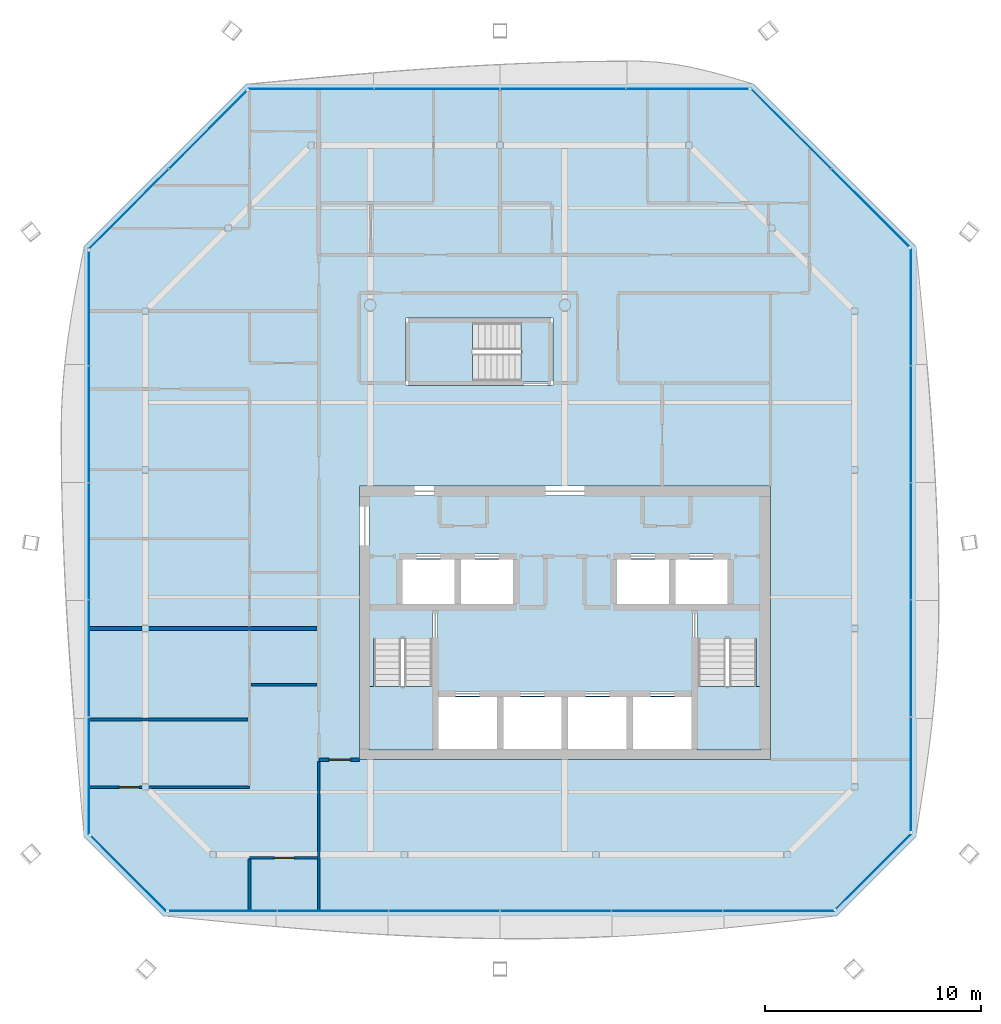
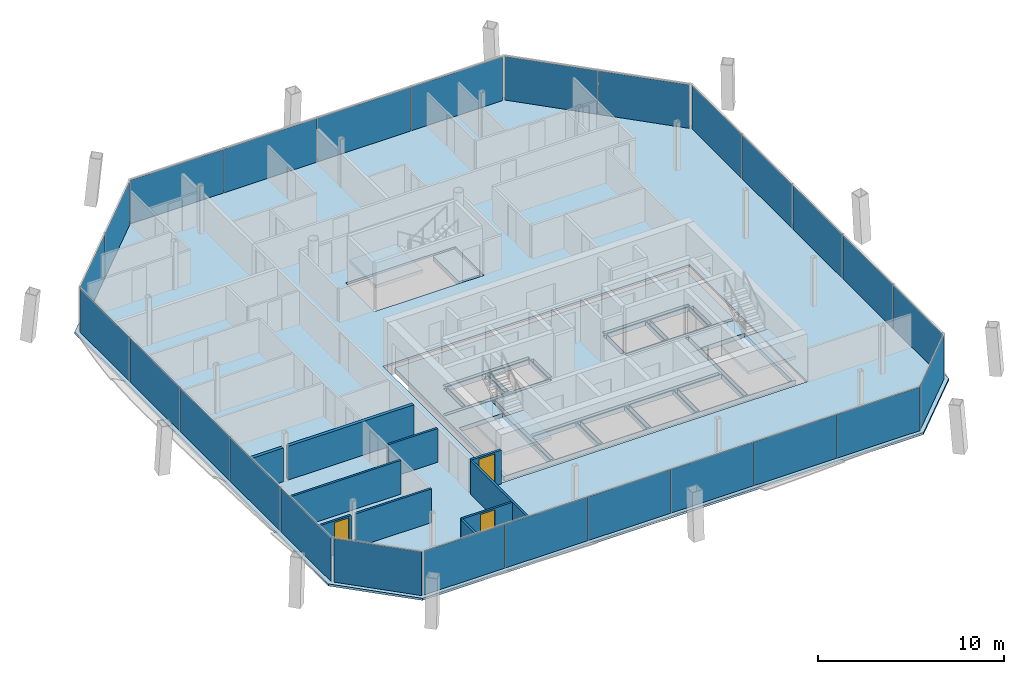
# One storey, part 11 of 18: 26 plates, 10 walls, 6 slabs, 3 doors, 3 openings, 11 elements without a shape of their own.
"""IFC4 building model written with IfcOpenShell, lengths in metres."""

from ifc_helpers import new_model, si_unit, direction, frame, frame_2d, origin, origin_2d, place, context, subcontext, project, spatial, polyline, rectangle, outline, extrude, material, layer, layer_set, type_object, element, fill, aggregate, save


model = new_model("IFC4")

# Units and contexts
model_context = context("Model", 3, precision=1e-05, world=origin(), true_north=direction((0.0, 1.0)))
body_context = subcontext(model_context, "Body", "Model", "MODEL_VIEW")
ifc_project = project(units=[si_unit("LENGTHUNIT", "METRE"), si_unit("AREAUNIT", "SQUARE_METRE"), si_unit("VOLUMEUNIT", "CUBIC_METRE"), si_unit("PLANEANGLEUNIT", "RADIAN"), si_unit("MASSUNIT", "GRAM", prefix="KILO")], contexts=[model_context])

# Site, building, storey
site_placement = place(None, origin())
site = spatial("IfcSite", under=ifc_project, at=site_placement, CompositionType="ELEMENT")
building_placement = place(site_placement, origin())
building = spatial("IfcBuilding", under=site, at=building_placement, Name="Tskaro Facet Tower", CompositionType="ELEMENT")
storey_placement = place(building_placement, frame((0.0, 0.0, 223.5)))
storey = spatial("IfcBuildingStorey", under=building, at=storey_placement, Name="L57", CompositionType="ELEMENT", Elevation=223.5)

# Slab
ifc_material_1 = material(Name="Concrete C30/37", Category="concrete")
ifc_layer_1 = layer(ifc_material_1, 0.139892578125, Name="Concrete C30/37")
ifc_layer_set_1 = layer_set([ifc_layer_1], Name="Concrete C30/37")
slab_type_1 = type_object("IfcSlabType", Name="Composite deck floor slab", PredefinedType="FLOOR", material=ifc_layer_set_1)
slab_1_placement = place(storey_placement, frame((0.0, 0.0, -0.139892578125)))
element("IfcSlab", 1, at=slab_1_placement, inside=storey, type_object=slab_type_1, Name="Floor slab FS3 L57", PredefinedType="FLOOR", context=body_context, shape_type="SweptSolid", body=[
    extrude(outline(polyline([(-18.5390625, -19.235107421875), (12.5390625, -19.235107421875), (16.235107421875, -15.5390625), (16.235107421875, 11.712890625), (8.712890625, 19.235107421875), (-14.712890625, 19.235107421875), (-22.235107421875, 11.712890625), (-22.235107421875, -15.5390625), (-18.5390625, -19.235107421875)]), holes=[polyline([(-9.5, -12.0), (9.5, -12.0), (9.5, 0.64990234375), (-9.5, 0.64990234375), (-9.5, -12.0)]), polyline([(-7.35009765625, 5.300048828125), (-0.550048828125, 5.300048828125), (-0.550048828125, 8.39990234375), (-7.35009765625, 8.39990234375), (-7.35009765625, 5.300048828125)])]), origin(), (0.0, 0.0, 1.0), 0.139892578125),
])

# Curtain wall, plates
ifc_material_2 = material(Name="Bronze anodised aluminium 6063-T6", Category="aluminium")
curtain_wall_type = type_object("IfcCurtainWallType", Name="Bronze residence curtain wall (FW3)", PredefinedType="NOTDEFINED", material=ifc_material_2)
curtain_wall_1_placement = place(storey_placement, origin())
curtain_wall_1 = element("IfcCurtainWall", 2, at=curtain_wall_1_placement, inside=storey, type_object=curtain_wall_type, Name="FW3 south facet L57", PredefinedType="NOTDEFINED")
ifc_material_3 = material(Name="Bronze low-iron glass", Category="glass")
ifc_layer_2 = layer(ifc_material_3, 0.028076171875, Name="Bronze low-iron glass")
ifc_layer_set_2 = layer_set([ifc_layer_2], Name="Bronze low-iron glass")
plate_type = type_object("IfcPlateType", Name="FW3 bronze-tinted unit glazing 28", PredefinedType="CURTAIN_PANEL", material=ifc_layer_set_2)
plate_1_placement = place(storey_placement, frame((-15.804931640625, -18.985107421875, 0.0), z_axis=(0.0, 0.0, 1.0), x_axis=(1.0, 0.0, 0.0)))
plate_1 = element("IfcPlate", 3, at=plate_1_placement, type_object=plate_type, Name="FW3 south glazing 1.1", PredefinedType="CURTAIN_PANEL", context=body_context, shape_type="SweptSolid", body=[
    extrude(rectangle(XDim=4.97998046875, YDim=0.028076171875, at=origin_2d()), origin(), (0.0, 0.0, 1.0), 2.860107421875),
])
plate_2_placement = place(storey_placement, frame((-10.717529296875, -18.985107421875, 0.0), z_axis=(0.0, 0.0, 1.0), x_axis=(1.0, 0.0, 0.0)))
plate_2 = element("IfcPlate", 4, at=plate_2_placement, type_object=plate_type, Name="FW3 south glazing 2.1", PredefinedType="CURTAIN_PANEL", context=body_context, shape_type="SweptSolid", body=[
    extrude(rectangle(XDim=5.094970703125, YDim=0.028076171875, at=origin_2d()), origin(), (0.0, 0.0, 1.0), 2.860107421875),
])
plate_3_placement = place(storey_placement, frame((-5.572509765625, -18.985107421875, 0.0), z_axis=(0.0, 0.0, 1.0), x_axis=(1.0, 0.0, 0.0)))
plate_3 = element("IfcPlate", 5, at=plate_3_placement, type_object=plate_type, Name="FW3 south glazing 3.1", PredefinedType="CURTAIN_PANEL", context=body_context, shape_type="SweptSolid", body=[
    extrude(rectangle(XDim=5.094970703125, YDim=0.028076171875, at=origin_2d()), origin(), (0.0, 0.0, 1.0), 2.860107421875),
])
plate_4_placement = place(storey_placement, frame((-0.427490234375, -18.985107421875, 0.0), z_axis=(0.0, 0.0, 1.0), x_axis=(1.0, 0.0, 0.0)))
plate_4 = element("IfcPlate", 6, at=plate_4_placement, type_object=plate_type, Name="FW3 south glazing 4.1", PredefinedType="CURTAIN_PANEL", context=body_context, shape_type="SweptSolid", body=[
    extrude(rectangle(XDim=5.094970703125, YDim=0.028076171875, at=origin_2d()), origin(), (0.0, 0.0, 1.0), 2.860107421875),
])
plate_5_placement = place(storey_placement, frame((4.717529296875, -18.985107421875, 0.0), z_axis=(0.0, 0.0, 1.0), x_axis=(1.0, 0.0, 0.0)))
plate_5 = element("IfcPlate", 7, at=plate_5_placement, type_object=plate_type, Name="FW3 south glazing 5.1", PredefinedType="CURTAIN_PANEL", context=body_context, shape_type="SweptSolid", body=[
    extrude(rectangle(XDim=5.094970703125, YDim=0.028076171875, at=origin_2d()), origin(), (0.0, 0.0, 1.0), 2.860107421875),
])
plate_6_placement = place(storey_placement, frame((9.875, -18.985107421875, 0.0), z_axis=(0.0, 0.0, 1.0), x_axis=(1.0, 0.0, 0.0)))
plate_6 = element("IfcPlate", 8, at=plate_6_placement, type_object=plate_type, Name="FW3 south glazing 6.1", PredefinedType="CURTAIN_PANEL", context=body_context, shape_type="SweptSolid", body=[
    extrude(rectangle(XDim=5.1201171875, YDim=0.028076171875, at=origin_2d()), origin(), (0.0, 0.0, 1.0), 2.860107421875),
])
aggregate(curtain_wall_1, [plate_1, plate_2, plate_3, plate_4, plate_5, plate_6])

# Curtain wall, plate
curtain_wall_2_placement = place(storey_placement, origin())
curtain_wall_2 = element("IfcCurtainWall", 9, at=curtain_wall_2_placement, inside=storey, type_object=curtain_wall_type, Name="FW3 south-east facet L57", PredefinedType="NOTDEFINED")
plate_7_placement = place(storey_placement, frame((14.259521484375, -17.160400390625, 0.0), z_axis=(0.0, 0.0, 1.0), x_axis=(0.707106781187, 0.707106781187, 0.0)))
plate_7 = element("IfcPlate", 10, at=plate_7_placement, type_object=plate_type, Name="FW3 south-east glazing 1.1", PredefinedType="CURTAIN_PANEL", context=body_context, shape_type="SweptSolid", body=[
    extrude(rectangle(XDim=4.88037109375, YDim=0.028076171875, at=origin_2d()), origin(), (0.0, 0.0, 1.0), 2.860107421875),
])
aggregate(curtain_wall_2, [plate_7])

# Curtain wall, plates
curtain_wall_3_placement = place(storey_placement, origin())
curtain_wall_3 = element("IfcCurtainWall", 11, at=curtain_wall_3_placement, inside=storey, type_object=curtain_wall_type, Name="FW3 east facet L57", PredefinedType="NOTDEFINED")
plate_8_placement = place(storey_placement, frame((15.985107421875, -12.673095703125, 0.0), z_axis=(0.0, 0.0, 1.0), x_axis=(0.0, 1.0, 0.0)))
plate_8 = element("IfcPlate", 12, at=plate_8_placement, type_object=plate_type, Name="FW3 east glazing 1.1", PredefinedType="CURTAIN_PANEL", context=body_context, shape_type="SweptSolid", body=[
    extrude(rectangle(XDim=5.243896484375, YDim=0.028076171875, at=origin_2d()), origin(), (0.0, 0.0, 1.0), 2.860107421875),
])
plate_9_placement = place(storey_placement, frame((15.985107421875, -7.32177734375, 0.0), z_axis=(0.0, 0.0, 1.0), x_axis=(0.0, 1.0, 0.0)))
plate_9 = element("IfcPlate", 13, at=plate_9_placement, type_object=plate_type, Name="FW3 east glazing 2.1", PredefinedType="CURTAIN_PANEL", context=body_context, shape_type="SweptSolid", body=[
    extrude(rectangle(XDim=5.35888671875, YDim=0.028076171875, at=origin_2d()), origin(), (0.0, 0.0, 1.0), 2.860107421875),
])
plate_10_placement = place(storey_placement, frame((15.985107421875, -1.9130859375, 0.0), z_axis=(0.0, 0.0, 1.0), x_axis=(0.0, 1.0, 0.0)))
plate_10 = element("IfcPlate", 14, at=plate_10_placement, type_object=plate_type, Name="FW3 east glazing 3.1", PredefinedType="CURTAIN_PANEL", context=body_context, shape_type="SweptSolid", body=[
    extrude(rectangle(XDim=5.35888671875, YDim=0.028076171875, at=origin_2d()), origin(), (0.0, 0.0, 1.0), 2.860107421875),
])
plate_11_placement = place(storey_placement, frame((15.985107421875, 3.495849609375, 0.0), z_axis=(0.0, 0.0, 1.0), x_axis=(0.0, 1.0, 0.0)))
plate_11 = element("IfcPlate", 15, at=plate_11_placement, type_object=plate_type, Name="FW3 east glazing 4.1", PredefinedType="CURTAIN_PANEL", context=body_context, shape_type="SweptSolid", body=[
    extrude(rectangle(XDim=5.35888671875, YDim=0.028076171875, at=origin_2d()), origin(), (0.0, 0.0, 1.0), 2.860107421875),
])
plate_12_placement = place(storey_placement, frame((15.985107421875, 8.9169921875, 0.0), z_axis=(0.0, 0.0, 1.0), x_axis=(0.0, 1.0, 0.0)))
plate_12 = element("IfcPlate", 16, at=plate_12_placement, type_object=plate_type, Name="FW3 east glazing 5.1", PredefinedType="CURTAIN_PANEL", context=body_context, shape_type="SweptSolid", body=[
    extrude(rectangle(XDim=5.3837890625, YDim=0.028076171875, at=origin_2d()), origin(), (0.0, 0.0, 1.0), 2.860107421875),
])
aggregate(curtain_wall_3, [plate_8, plate_9, plate_10, plate_11, plate_12])

curtain_wall_4_placement = place(storey_placement, origin())
curtain_wall_4 = element("IfcCurtainWall", 17, at=curtain_wall_4_placement, inside=storey, type_object=curtain_wall_type, Name="FW3 north-east facet L57", PredefinedType="NOTDEFINED")
plate_13_placement = place(storey_placement, frame((14.100341796875, 13.49365234375, 0.0), z_axis=(0.0, 0.0, 1.0), x_axis=(-0.707106781187, 0.707106781187, 0.0)))
plate_13 = element("IfcPlate", 18, at=plate_13_placement, type_object=plate_type, Name="FW3 north-east glazing 1.1", PredefinedType="CURTAIN_PANEL", context=body_context, shape_type="SweptSolid", body=[
    extrude(rectangle(XDim=5.050537109375, YDim=0.028076171875, at=origin_2d()), origin(), (0.0, 0.0, 1.0), 2.860107421875),
])
plate_14_placement = place(storey_placement, frame((10.444091796875, 17.14990234375, 0.0), z_axis=(0.0, 0.0, 1.0), x_axis=(-0.707106781187, 0.707106781187, 0.0)))
plate_14 = element("IfcPlate", 19, at=plate_14_placement, type_object=plate_type, Name="FW3 north-east glazing 2.1", PredefinedType="CURTAIN_PANEL", context=body_context, shape_type="SweptSolid", body=[
    extrude(rectangle(XDim=5.190673828125, YDim=0.028076171875, at=origin_2d()), origin(), (0.0, 0.0, 1.0), 2.860107421875),
])
aggregate(curtain_wall_4, [plate_13, plate_14])

curtain_wall_5_placement = place(storey_placement, origin())
curtain_wall_5 = element("IfcCurtainWall", 20, at=curtain_wall_5_placement, inside=storey, type_object=curtain_wall_type, Name="FW3 north facet L57", PredefinedType="NOTDEFINED")
plate_15_placement = place(storey_placement, frame((5.649169921875, 18.985107421875, 0.0), z_axis=(0.0, 0.0, 1.0), x_axis=(-1.0, 0.0, 0.0)))
plate_15 = element("IfcPlate", 21, at=plate_15_placement, type_object=plate_type, Name="FW3 north glazing 1.1", PredefinedType="CURTAIN_PANEL", context=body_context, shape_type="SweptSolid", body=[
    extrude(rectangle(XDim=5.639404296875, YDim=0.028076171875, at=origin_2d()), origin(), (0.0, 0.0, 1.0), 2.860107421875),
])
plate_16_placement = place(storey_placement, frame((-0.09765625, 18.985107421875, 0.0), z_axis=(0.0, 0.0, 1.0), x_axis=(-1.0, 0.0, 0.0)))
plate_16 = element("IfcPlate", 22, at=plate_16_placement, type_object=plate_type, Name="FW3 north glazing 2.1", PredefinedType="CURTAIN_PANEL", context=body_context, shape_type="SweptSolid", body=[
    extrude(rectangle(XDim=5.75439453125, YDim=0.028076171875, at=origin_2d()), origin(), (0.0, 0.0, 1.0), 2.860107421875),
])
plate_17_placement = place(storey_placement, frame((-5.90234375, 18.985107421875, 0.0), z_axis=(0.0, 0.0, 1.0), x_axis=(-1.0, 0.0, 0.0)))
plate_17 = element("IfcPlate", 23, at=plate_17_placement, type_object=plate_type, Name="FW3 north glazing 3.1", PredefinedType="CURTAIN_PANEL", context=body_context, shape_type="SweptSolid", body=[
    extrude(rectangle(XDim=5.75439453125, YDim=0.028076171875, at=origin_2d()), origin(), (0.0, 0.0, 1.0), 2.860107421875),
])
plate_18_placement = place(storey_placement, frame((-11.71923828125, 18.985107421875, 0.0), z_axis=(0.0, 0.0, 1.0), x_axis=(-1.0, 0.0, 0.0)))
plate_18 = element("IfcPlate", 24, at=plate_18_placement, type_object=plate_type, Name="FW3 north glazing 4.1", PredefinedType="CURTAIN_PANEL", context=body_context, shape_type="SweptSolid", body=[
    extrude(rectangle(XDim=5.779541015625, YDim=0.028076171875, at=origin_2d()), origin(), (0.0, 0.0, 1.0), 2.860107421875),
])
aggregate(curtain_wall_5, [plate_15, plate_16, plate_17, plate_18])

curtain_wall_6_placement = place(storey_placement, origin())
curtain_wall_6 = element("IfcCurtainWall", 25, at=curtain_wall_6_placement, inside=storey, type_object=curtain_wall_type, Name="FW3 north-west facet L57", PredefinedType="NOTDEFINED")
plate_19_placement = place(storey_placement, frame((-16.49365234375, 17.100341796875, 0.0), z_axis=(0.0, 0.0, 1.0), x_axis=(-0.707106781187, -0.707106781187, 0.0)))
plate_19 = element("IfcPlate", 26, at=plate_19_placement, type_object=plate_type, Name="FW3 north-west glazing 1.1", PredefinedType="CURTAIN_PANEL", context=body_context, shape_type="SweptSolid", body=[
    extrude(rectangle(XDim=5.050537109375, YDim=0.028076171875, at=origin_2d()), origin(), (0.0, 0.0, 1.0), 2.860107421875),
])
plate_20_placement = place(storey_placement, frame((-20.14990234375, 13.444091796875, 0.0), z_axis=(0.0, 0.0, 1.0), x_axis=(-0.707106781187, -0.707106781187, 0.0)))
plate_20 = element("IfcPlate", 27, at=plate_20_placement, type_object=plate_type, Name="FW3 north-west glazing 2.1", PredefinedType="CURTAIN_PANEL", context=body_context, shape_type="SweptSolid", body=[
    extrude(rectangle(XDim=5.190673828125, YDim=0.028076171875, at=origin_2d()), origin(), (0.0, 0.0, 1.0), 2.860107421875),
])
aggregate(curtain_wall_6, [plate_19, plate_20])

curtain_wall_7_placement = place(storey_placement, origin())
curtain_wall_7 = element("IfcCurtainWall", 28, at=curtain_wall_7_placement, inside=storey, type_object=curtain_wall_type, Name="FW3 west facet L57", PredefinedType="NOTDEFINED")
plate_21_placement = place(storey_placement, frame((-21.985107421875, 8.84716796875, 0.0), z_axis=(0.0, 0.0, 1.0), x_axis=(0.0, -1.0, 0.0)))
plate_21 = element("IfcPlate", 29, at=plate_21_placement, type_object=plate_type, Name="FW3 west glazing 1.1", PredefinedType="CURTAIN_PANEL", context=body_context, shape_type="SweptSolid", body=[
    extrude(rectangle(XDim=5.243896484375, YDim=0.028076171875, at=origin_2d()), origin(), (0.0, 0.0, 1.0), 2.860107421875),
])
plate_22_placement = place(storey_placement, frame((-21.985107421875, 3.495849609375, 0.0), z_axis=(0.0, 0.0, 1.0), x_axis=(0.0, -1.0, 0.0)))
plate_22 = element("IfcPlate", 30, at=plate_22_placement, type_object=plate_type, Name="FW3 west glazing 2.1", PredefinedType="CURTAIN_PANEL", context=body_context, shape_type="SweptSolid", body=[
    extrude(rectangle(XDim=5.35888671875, YDim=0.028076171875, at=origin_2d()), origin(), (0.0, 0.0, 1.0), 2.860107421875),
])
plate_23_placement = place(storey_placement, frame((-21.985107421875, -1.9130859375, 0.0), z_axis=(0.0, 0.0, 1.0), x_axis=(0.0, -1.0, 0.0)))
plate_23 = element("IfcPlate", 31, at=plate_23_placement, type_object=plate_type, Name="FW3 west glazing 3.1", PredefinedType="CURTAIN_PANEL", context=body_context, shape_type="SweptSolid", body=[
    extrude(rectangle(XDim=5.35888671875, YDim=0.028076171875, at=origin_2d()), origin(), (0.0, 0.0, 1.0), 2.860107421875),
])
plate_24_placement = place(storey_placement, frame((-21.985107421875, -7.32177734375, 0.0), z_axis=(0.0, 0.0, 1.0), x_axis=(0.0, -1.0, 0.0)))
plate_24 = element("IfcPlate", 32, at=plate_24_placement, type_object=plate_type, Name="FW3 west glazing 4.1", PredefinedType="CURTAIN_PANEL", context=body_context, shape_type="SweptSolid", body=[
    extrude(rectangle(XDim=5.35888671875, YDim=0.028076171875, at=origin_2d()), origin(), (0.0, 0.0, 1.0), 2.860107421875),
])
plate_25_placement = place(storey_placement, frame((-21.985107421875, -12.7431640625, 0.0), z_axis=(0.0, 0.0, 1.0), x_axis=(0.0, -1.0, 0.0)))
plate_25 = element("IfcPlate", 33, at=plate_25_placement, type_object=plate_type, Name="FW3 west glazing 5.1", PredefinedType="CURTAIN_PANEL", context=body_context, shape_type="SweptSolid", body=[
    extrude(rectangle(XDim=5.3837890625, YDim=0.028076171875, at=origin_2d()), origin(), (0.0, 0.0, 1.0), 2.860107421875),
])
aggregate(curtain_wall_7, [plate_21, plate_22, plate_23, plate_24, plate_25])

# Curtain wall, plate
curtain_wall_8_placement = place(storey_placement, origin())
curtain_wall_8 = element("IfcCurtainWall", 34, at=curtain_wall_8_placement, inside=storey, type_object=curtain_wall_type, Name="FW3 south-west facet L57", PredefinedType="NOTDEFINED")
plate_26_placement = place(storey_placement, frame((-20.160400390625, -17.259521484375, 0.0), z_axis=(0.0, 0.0, 1.0), x_axis=(0.707106781187, -0.707106781187, 0.0)))
plate_26 = element("IfcPlate", 35, at=plate_26_placement, type_object=plate_type, Name="FW3 south-west glazing 1.1", PredefinedType="CURTAIN_PANEL", context=body_context, shape_type="SweptSolid", body=[
    extrude(rectangle(XDim=4.88037109375, YDim=0.028076171875, at=origin_2d()), origin(), (0.0, 0.0, 1.0), 2.860107421875),
])
aggregate(curtain_wall_8, [plate_26])

# Stair, slab
ifc_material_4 = material(Name="Concrete C40/50", Category="concrete")
stair_type = type_object("IfcStairType", Name="ST-TWR", PredefinedType="HALF_TURN_STAIR", material=ifc_material_4)
stair_1_placement = place(storey_placement, origin())
stair_1 = element("IfcStair", 36, at=stair_1_placement, inside=storey, type_object=stair_type, Name="L57 Exit stair 1", PredefinedType="HALF_TURN_STAIR")
ifc_layer_3 = layer(ifc_material_4, 0.199951171875, Name="Concrete C40/50")
ifc_layer_set_3 = layer_set([ifc_layer_3], Name="Concrete C40/50")
slab_type_2 = type_object("IfcSlabType", Name="SL-LANDING", PredefinedType="LANDING", material=ifc_layer_set_3)
slab_2_placement = place(storey_placement, frame((0.0, 0.0, 1.375)))
slab_2 = element("IfcSlab", 37, at=slab_2_placement, type_object=slab_type_2, Name="ST-1 landing 1", PredefinedType="LANDING", context=body_context, shape_type="SweptSolid", body=[
    extrude(outline(polyline([(-9.050048828125, -11.550048828125), (-6.10009765625, -11.550048828125), (-6.10009765625, -8.614990234375), (-9.050048828125, -8.614990234375), (-9.050048828125, -11.550048828125)])), origin(), (0.0, 0.0, 1.0), 0.199951171875),
])
aggregate(stair_1, [slab_2])

stair_2_placement = place(storey_placement, origin())
stair_2 = element("IfcStair", 38, at=stair_2_placement, inside=storey, type_object=stair_type, Name="L57 Exit stair 2", PredefinedType="HALF_TURN_STAIR")
slab_3_placement = place(storey_placement, frame((0.0, 0.0, 1.375)))
slab_3 = element("IfcSlab", 39, at=slab_3_placement, type_object=slab_type_2, Name="ST-2 landing 1", PredefinedType="LANDING", context=body_context, shape_type="SweptSolid", body=[
    extrude(outline(polyline([(6.10009765625, -11.550048828125), (9.050048828125, -11.550048828125), (9.050048828125, -8.614990234375), (6.10009765625, -8.614990234375), (6.10009765625, -11.550048828125)])), origin(), (0.0, 0.0, 1.0), 0.199951171875),
])
aggregate(stair_2, [slab_3])

stair_3_placement = place(storey_placement, origin())
stair_3 = element("IfcStair", 40, at=stair_3_placement, inside=storey, type_object=stair_type, Name="L57 Exit stair 3", PredefinedType="HALF_TURN_STAIR")
slab_4_placement = place(storey_placement, frame((0.0, 0.0, 1.375)))
slab_4 = element("IfcSlab", 41, at=slab_4_placement, type_object=slab_type_2, Name="ST-3 landing 1", PredefinedType="LANDING", context=body_context, shape_type="SweptSolid", body=[
    extrude(outline(polyline([(-7.199951171875, 5.449951171875), (-4.264892578125, 5.449951171875), (-4.264892578125, 8.25), (-7.199951171875, 8.25), (-7.199951171875, 5.449951171875)])), origin(), (0.0, 0.0, 1.0), 0.199951171875),
])
aggregate(stair_3, [slab_4])

# Slabs
ifc_material_5 = material(Name="Concrete C60/75", Category="concrete")
ifc_layer_4 = layer(ifc_material_5, 0.300048828125, Name="Concrete C60/75")
ifc_layer_set_4 = layer_set([ifc_layer_4], Name="Concrete C60/75")
slab_type_3 = type_object("IfcSlabType", Name="SLAB-CORE", PredefinedType="FLOOR", material=ifc_layer_set_4)
slab_5_placement = place(storey_placement, frame((0.0, 0.0, -0.300048828125)))
element("IfcSlab", 42, at=slab_5_placement, inside=storey, type_object=slab_type_3, Name="Core floor slab 1", PredefinedType="FLOOR", context=body_context, shape_type="SweptSolid", body=[
    extrude(outline(polyline([(-9.050048828125, 0.199951171875), (9.050048828125, 0.199951171875), (9.050048828125, 0.10009765625), (9.050048828125, -11.449951171875), (9.050048828125, -11.550048828125), (-9.050048828125, -11.550048828125), (-9.050048828125, -11.449951171875), (-9.050048828125, 0.10009765625), (-9.050048828125, 0.199951171875)]), holes=[polyline([(-5.85009765625, -9.10009765625), (-5.85009765625, -11.5), (-3.14990234375, -11.5), (-3.14990234375, -9.10009765625), (-5.85009765625, -9.10009765625)]), polyline([(-3.10009765625, -11.449951171875), (-2.89990234375, -11.449951171875), (-2.89990234375, -9.14990234375), (-3.10009765625, -9.14990234375), (-3.10009765625, -11.449951171875)]), polyline([(-2.85009765625, -9.10009765625), (-2.85009765625, -11.5), (-0.14990234375, -11.5), (-0.14990234375, -9.10009765625), (-2.85009765625, -9.10009765625)]), polyline([(-6.10009765625, -11.449951171875), (-5.89990234375, -11.449951171875), (-5.89990234375, -5.14990234375), (-6.10009765625, -5.14990234375), (-6.10009765625, -11.449951171875)]), polyline([(-8.949951171875, -5.050048828125), (-2.300048828125, -5.050048828125), (-2.300048828125, -4.85009765625), (-8.949951171875, -4.85009765625), (-8.949951171875, -5.050048828125)]), polyline([(-7.75, -4.75), (-7.550048828125, -4.75), (-7.550048828125, -2.800048828125), (-7.75, -2.800048828125), (-7.75, -4.75)]), polyline([(-5.10009765625, -2.75), (-7.5, -2.75), (-7.5, -4.800048828125), (-5.10009765625, -4.800048828125), (-5.10009765625, -2.75)]), polyline([(-5.050048828125, -4.75), (-4.85009765625, -4.75), (-4.85009765625, -2.800048828125), (-5.050048828125, -2.800048828125), (-5.050048828125, -4.75)]), polyline([(-2.39990234375, -4.800048828125), (-2.39990234375, -2.75), (-4.800048828125, -2.75), (-4.800048828125, -4.800048828125), (-2.39990234375, -4.800048828125)]), polyline([(-2.35009765625, -4.75), (-2.14990234375, -4.75), (-2.14990234375, -2.800048828125), (-2.35009765625, -2.800048828125), (-2.35009765625, -4.75)]), polyline([(-7.60009765625, -2.699951171875), (-2.300048828125, -2.699951171875), (-2.300048828125, -2.5), (-7.60009765625, -2.5), (-7.60009765625, -2.699951171875)]), polyline([(-0.10009765625, -11.449951171875), (0.10009765625, -11.449951171875), (0.10009765625, -9.14990234375), (-0.10009765625, -9.14990234375), (-0.10009765625, -11.449951171875)]), polyline([(0.14990234375, -9.10009765625), (0.14990234375, -11.5), (2.85009765625, -11.5), (2.85009765625, -9.10009765625), (0.14990234375, -9.10009765625)]), polyline([(2.89990234375, -11.449951171875), (3.10009765625, -11.449951171875), (3.10009765625, -9.14990234375), (2.89990234375, -9.14990234375), (2.89990234375, -11.449951171875)]), polyline([(3.14990234375, -9.10009765625), (3.14990234375, -11.5), (5.85009765625, -11.5), (5.85009765625, -9.10009765625), (3.14990234375, -9.10009765625)]), polyline([(-5.800048828125, -9.050048828125), (5.800048828125, -9.050048828125), (5.800048828125, -8.85009765625), (-5.800048828125, -8.85009765625), (-5.800048828125, -9.050048828125)]), polyline([(5.89990234375, -11.449951171875), (6.10009765625, -11.449951171875), (6.10009765625, -5.14990234375), (5.89990234375, -5.14990234375), (5.89990234375, -11.449951171875)]), polyline([(2.300048828125, -5.050048828125), (8.949951171875, -5.050048828125), (8.949951171875, -4.85009765625), (2.300048828125, -4.85009765625), (2.300048828125, -5.050048828125)]), polyline([(2.14990234375, -4.75), (2.35009765625, -4.75), (2.35009765625, -2.800048828125), (2.14990234375, -2.800048828125), (2.14990234375, -4.75)]), polyline([(2.39990234375, -2.75), (2.39990234375, -4.800048828125), (4.800048828125, -4.800048828125), (4.800048828125, -2.75), (2.39990234375, -2.75)]), polyline([(4.85009765625, -4.75), (5.050048828125, -4.75), (5.050048828125, -2.800048828125), (4.85009765625, -2.800048828125), (4.85009765625, -4.75)]), polyline([(7.5, -4.800048828125), (7.5, -2.75), (5.10009765625, -2.75), (5.10009765625, -4.800048828125), (7.5, -4.800048828125)]), polyline([(7.550048828125, -4.75), (7.75, -4.75), (7.75, -2.800048828125), (7.550048828125, -2.800048828125), (7.550048828125, -4.75)]), polyline([(2.300048828125, -2.699951171875), (7.60009765625, -2.699951171875), (7.60009765625, -2.5), (2.300048828125, -2.5), (2.300048828125, -2.699951171875)]), polyline([(-8.85009765625, -11.5), (-6.14990234375, -11.5), (-6.14990234375, -6.39501953125), (-8.85009765625, -6.39501953125), (-8.85009765625, -11.5)]), polyline([(6.14990234375, -6.39501953125), (6.14990234375, -11.5), (8.85009765625, -11.5), (8.85009765625, -6.39501953125), (6.14990234375, -6.39501953125)])]), origin(), (0.0, 0.0, 1.0), 0.300048828125),
])
slab_6_placement = place(storey_placement, frame((0.0, 0.0, -0.300048828125)))
element("IfcSlab", 43, at=slab_6_placement, inside=storey, type_object=slab_type_3, Name="Stair 3 floor landing 1", PredefinedType="FLOOR", context=body_context, shape_type="SweptSolid", body=[
    extrude(outline(polyline([(-2.02490234375, 5.449951171875), (-0.699951171875, 5.449951171875), (-0.699951171875, 8.25), (-2.02490234375, 8.25), (-2.02490234375, 5.449951171875)])), origin(), (0.0, 0.0, 1.0), 0.300048828125),
])

# Wall, opening, door
ifc_material_6 = material(Name="Gypsum board on steel studs", Category="steel")
ifc_layer_5 = layer(ifc_material_6, 0.125, Name="Gypsum board on steel studs")
ifc_layer_set_5 = layer_set([ifc_layer_5], Name="Gypsum board on steel studs")
wall_type_1 = type_object("IfcWallType", Name="PART", PredefinedType="PARTITIONING", material=ifc_layer_set_5)
wall_1_placement = place(storey_placement, frame((-11.4375, -16.534912109375, 0.0), z_axis=(0.0, 0.0, 1.0), x_axis=(-1.0, 0.0, 0.0)))
wall_1 = element("IfcWall", 44, at=wall_1_placement, inside=storey, type_object=wall_type_1, Name="Partition W001", PredefinedType="PARTITIONING", context=body_context, shape_type="SweptSolid", body=[
    extrude(rectangle(XDim=3.137451171875, YDim=0.125, at=frame_2d((1.56884765625, 0.0))), origin(), (0.0, 0.0, 1.0), 2.2099609375),
])
opening_1_placement = place(wall_1_placement, frame((1.08740234375, 0.0, 0.0)))
opening_1 = element("IfcOpeningElement", 45, at=opening_1_placement, cuts=wall_1, Name="Opening T16-D01", PredefinedType="OPENING", context=body_context, shape_type="SweptSolid", body=[
    extrude(rectangle(XDim=0.89990234375, YDim=2.10009765625, at=frame_2d((0.449951171875, 1.050048828125))), frame((0.0, 0.072509765625, 0.0), z_axis=(0.0, -1.0, 0.0), x_axis=(1.0, 0.0, 0.0)), (0.0, 0.0, 1.0), 0.14501953125),
])
ifc_material_7 = material(Name="Timber", Category="wood")
door_type_1 = type_object("IfcDoorType", Name="D-ROOM", OperationType="NOTDEFINED", PredefinedType="DOOR", material=ifc_material_7)
door_1_placement = place(opening_1_placement, origin())
door_1 = element("IfcDoor", 46, at=door_1_placement, inside=storey, type_object=door_type_1, Name="Door T16-D01", OperationType="SINGLE_SWING_RIGHT", OverallHeight=2.10009765625, OverallWidth=0.89990234375, PredefinedType="DOOR", context=body_context, shape_type="SweptSolid", body=[
    extrude(rectangle(XDim=0.89990234375, YDim=2.10009765625, at=frame_2d((0.449951171875, 1.050048828125))), frame((0.0, 0.02490234375, 0.0), z_axis=(0.0, -1.0, 0.0), x_axis=(1.0, 0.0, 0.0)), (0.0, 0.0, 1.0), 0.050048828125),
])
fill(opening_1, door_1)

wall_2_placement = place(storey_placement, frame((-21.93505859375, -13.27001953125, 0.0), z_axis=(0.0, 0.0, 1.0), x_axis=(1.0, 0.0, 0.0)))
wall_2 = element("IfcWall", 47, at=wall_2_placement, inside=storey, type_object=wall_type_1, Name="Partition W002", PredefinedType="PARTITIONING", context=body_context, shape_type="SweptSolid", body=[
    extrude(rectangle(XDim=2.39404296875, YDim=0.125, at=frame_2d((1.197021484375, 0.0))), origin(), (0.0, 0.0, 1.0), 2.2099609375),
])
opening_2_placement = place(wall_2_placement, frame((1.343994140625, 0.0, 0.0)))
opening_2 = element("IfcOpeningElement", 48, at=opening_2_placement, cuts=wall_2, Name="Opening T16-D02", PredefinedType="OPENING", context=body_context, shape_type="SweptSolid", body=[
    extrude(rectangle(XDim=0.89990234375, YDim=2.10009765625, at=frame_2d((0.449951171875, 1.050048828125))), frame((0.0, 0.072509765625, 0.0), z_axis=(0.0, -1.0, 0.0), x_axis=(1.0, 0.0, 0.0)), (0.0, 0.0, 1.0), 0.14501953125),
])
door_2_placement = place(opening_2_placement, origin())
door_2 = element("IfcDoor", 49, at=door_2_placement, inside=storey, type_object=door_type_1, Name="Door T16-D02", OperationType="SINGLE_SWING_LEFT", OverallHeight=2.10009765625, OverallWidth=0.89990234375, PredefinedType="DOOR", context=body_context, shape_type="SweptSolid", body=[
    extrude(rectangle(XDim=0.89990234375, YDim=2.10009765625, at=frame_2d((0.449951171875, 1.050048828125))), frame((0.0, 0.02490234375, 0.0), z_axis=(0.0, -1.0, 0.0), x_axis=(1.0, 0.0, 0.0)), (0.0, 0.0, 1.0), 0.050048828125),
])
fill(opening_2, door_2)

# Walls
wall_3_placement = place(storey_placement, frame((-19.240966796875, -13.27001953125, 0.0), z_axis=(0.0, 0.0, 1.0), x_axis=(1.0, 0.0, 0.0)))
element("IfcWall", 50, at=wall_3_placement, inside=storey, type_object=wall_type_1, Name="Partition W003", PredefinedType="PARTITIONING", context=body_context, shape_type="SweptSolid", body=[
    extrude(rectangle(XDim=4.666015625, YDim=0.125, at=frame_2d((2.3330078125, 0.0))), origin(), (0.0, 0.0, 1.0), 2.2099609375),
])
wall_4_placement = place(storey_placement, frame((-21.93505859375, -10.139892578125, 0.0), z_axis=(0.0, 0.0, 1.0), x_axis=(1.0, 0.0, 0.0)))
element("IfcWall", 51, at=wall_4_placement, inside=storey, type_object=wall_type_1, Name="Partition W006", PredefinedType="PARTITIONING", context=body_context, shape_type="SweptSolid", body=[
    extrude(rectangle(XDim=7.297607421875, YDim=0.125, at=frame_2d((3.64892578125, 0.0))), origin(), (0.0, 0.0, 1.0), 2.2099609375),
])
wall_5_placement = place(storey_placement, frame((-14.512451171875, -8.5400390625, 0.0), z_axis=(0.0, 0.0, 1.0), x_axis=(1.0, 0.0, 0.0)))
element("IfcWall", 52, at=wall_5_placement, inside=storey, type_object=wall_type_1, Name="Partition W008", PredefinedType="PARTITIONING", context=body_context, shape_type="SweptSolid", body=[
    extrude(rectangle(XDim=3.0625, YDim=0.125, at=frame_2d((1.53125, 0.0))), origin(), (0.0, 0.0, 1.0), 2.2099609375),
])
wall_6_placement = place(storey_placement, frame((-14.574951171875, -18.93505859375, 0.0), z_axis=(0.0, 0.0, 1.0), x_axis=(0.0, 1.0, 0.0)))
element("IfcWall", 53, at=wall_6_placement, inside=storey, type_object=wall_type_1, Name="Partition W046", PredefinedType="PARTITIONING", context=body_context, shape_type="SweptSolid", body=[
    extrude(rectangle(XDim=2.337646484375, YDim=0.125, at=frame_2d((1.1689453125, 0.0))), origin(), (0.0, 0.0, 1.0), 2.2099609375),
])
wall_7_placement = place(storey_placement, frame((-11.375, -18.93505859375, 0.0), z_axis=(0.0, 0.0, 1.0), x_axis=(0.0, 1.0, 0.0)))
element("IfcWall", 54, at=wall_7_placement, inside=storey, type_object=wall_type_1, Name="Partition W050", PredefinedType="PARTITIONING", context=body_context, shape_type="SweptSolid", body=[
    extrude(rectangle(XDim=6.860107421875, YDim=0.125, at=frame_2d((3.43017578125, 0.0))), origin(), (0.0, 0.0, 1.0), 2.2099609375),
])

# Wall, opening, door
ifc_layer_6 = layer(ifc_material_6, 0.14990234375, Name="Gypsum board on steel studs")
ifc_layer_set_6 = layer_set([ifc_layer_6], Name="Gypsum board on steel studs")
wall_type_2 = type_object("IfcWallType", Name="PART-CORR", PredefinedType="PARTITIONING", material=ifc_layer_set_6)
wall_8_placement = place(storey_placement, frame((-9.5, -12.0, 0.0), z_axis=(0.0, 0.0, 1.0), x_axis=(-1.0, 0.0, 0.0)))
wall_8 = element("IfcWall", 55, at=wall_8_placement, inside=storey, type_object=wall_type_2, Name="Corridor wall W004", PredefinedType="PARTITIONING", context=body_context, shape_type="SweptSolid", body=[
    extrude(rectangle(XDim=1.875, YDim=0.14990234375, at=frame_2d((0.9375, 0.0))), origin(), (0.0, 0.0, 1.0), 2.2099609375),
])
opening_3_placement = place(wall_8_placement, frame((0.39990234375, 0.0, 0.0)))
opening_3 = element("IfcOpeningElement", 56, at=opening_3_placement, cuts=wall_8, Name="Opening T16-D03", PredefinedType="OPENING", context=body_context, shape_type="SweptSolid", body=[
    extrude(rectangle(XDim=1.0, YDim=2.10009765625, at=frame_2d((0.5, 1.050048828125))), frame((0.0, 0.0849609375, 0.0), z_axis=(0.0, -1.0, 0.0), x_axis=(1.0, 0.0, 0.0)), (0.0, 0.0, 1.0), 0.169921875),
])
door_type_2 = type_object("IfcDoorType", Name="D-ROOM-WIDE", OperationType="NOTDEFINED", PredefinedType="DOOR", material=ifc_material_7)
door_3_placement = place(opening_3_placement, origin())
door_3 = element("IfcDoor", 57, at=door_3_placement, inside=storey, type_object=door_type_2, Name="Door T16-D03", OperationType="SINGLE_SWING_RIGHT", OverallHeight=2.10009765625, OverallWidth=1.0, PredefinedType="DOOR", context=body_context, shape_type="SweptSolid", body=[
    extrude(rectangle(XDim=1.0, YDim=2.10009765625, at=frame_2d((0.5, 1.050048828125))), frame((0.0, 0.02490234375, 0.0), z_axis=(0.0, -1.0, 0.0), x_axis=(1.0, 0.0, 0.0)), (0.0, 0.0, 1.0), 0.050048828125),
])
fill(opening_3, door_3)

# Walls
ifc_layer_7 = layer(ifc_material_6, 0.199951171875, Name="Gypsum board on steel studs")
ifc_layer_set_7 = layer_set([ifc_layer_7], Name="Gypsum board on steel studs")
wall_type_3 = type_object("IfcWallType", Name="PART-DEMISING", PredefinedType="PARTITIONING", material=ifc_layer_set_7)
wall_9_placement = place(storey_placement, frame((-21.93505859375, -5.93994140625, 0.0), z_axis=(0.0, 0.0, 1.0), x_axis=(1.0, 0.0, 0.0)))
element("IfcWall", 58, at=wall_9_placement, inside=storey, type_object=wall_type_3, Name="Guest room wall W009", PredefinedType="PARTITIONING", context=body_context, shape_type="SweptSolid", body=[
    extrude(rectangle(XDim=2.39404296875, YDim=0.199951171875, at=frame_2d((1.197021484375, 0.0))), origin(), (0.0, 0.0, 1.0), 2.2099609375),
])
wall_10_placement = place(storey_placement, frame((-19.240966796875, -5.93994140625, 0.0), z_axis=(0.0, 0.0, 1.0), x_axis=(1.0, 0.0, 0.0)))
element("IfcWall", 59, at=wall_10_placement, inside=storey, type_object=wall_type_3, Name="Guest room wall W010", PredefinedType="PARTITIONING", context=body_context, shape_type="SweptSolid", body=[
    extrude(rectangle(XDim=7.791015625, YDim=0.199951171875, at=frame_2d((3.8955078125, 0.0))), origin(), (0.0, 0.0, 1.0), 2.2099609375),
])

save(model, "model.ifc")
